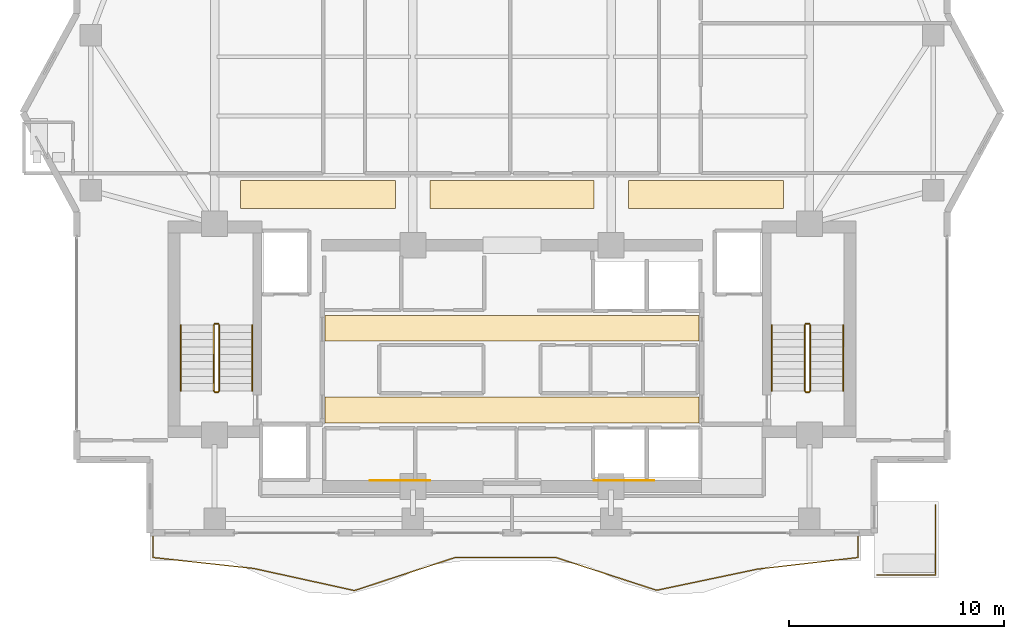
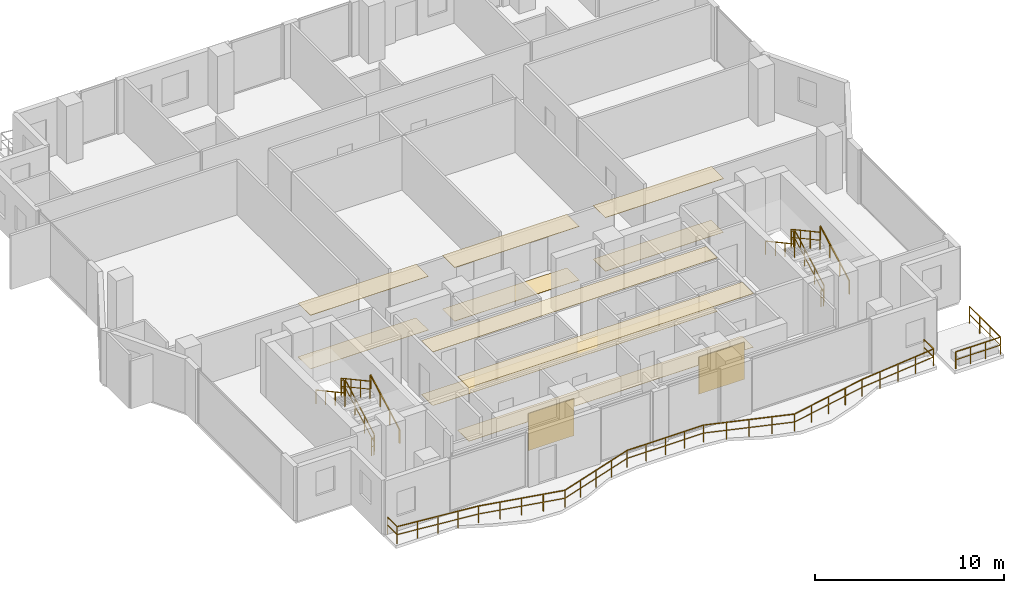
# One storey, part 24 of 26: 14 railings, 12 coverings.
"""IFC4 building model written with IfcOpenShell, lengths in metres."""

from ifc_helpers import new_model, si_unit, direction, frame, origin, origin_2d, place, context, subcontext, project, spatial, polyline, rectangle, outline, extrude, material, layer, layer_set, type_object, element, save


model = new_model("IFC4")

# Units and contexts
model_context = context("Model", 3, precision=1e-05, world=origin(), true_north=direction((0.0, 1.0)))
body_context = subcontext(model_context, "Body", "Model", "MODEL_VIEW")
ifc_project = project(units=[si_unit("LENGTHUNIT", "METRE"), si_unit("AREAUNIT", "SQUARE_METRE"), si_unit("VOLUMEUNIT", "CUBIC_METRE"), si_unit("PLANEANGLEUNIT", "RADIAN"), si_unit("MASSUNIT", "GRAM", prefix="KILO")], contexts=[model_context])

# Site, building, storey
site_placement = place(None, origin())
site = spatial("IfcSite", under=ifc_project, at=site_placement, CompositionType="ELEMENT")
building_placement = place(site_placement, origin())
building = spatial("IfcBuilding", under=site, at=building_placement, Name="Zuhayl Quay Hotel", CompositionType="ELEMENT")
storey_placement = place(building_placement, frame((0.0, 0.0, 254.449951171875)))
storey = spatial("IfcBuildingStorey", under=building, at=storey_placement, Name="L64", CompositionType="ELEMENT", Elevation=254.449951171875)

# Coverings
ifc_material_1 = material(Name="Acoustic Mineral-Fibre Gypsum Board")
ifc_layer_1 = layer(ifc_material_1, 0.02490234375, Name="Acoustic Mineral-Fibre Gypsum Board")
ifc_layer_set_1 = layer_set([ifc_layer_1], Name="Acoustic Mineral-Fibre Gypsum Board")
covering_type_1 = type_object("IfcCoveringType", Name="CV_CEIL_ACOUSTIC", PredefinedType="CEILING", material=ifc_layer_set_1)
covering_1_placement = place(storey_placement, frame((0.0, 0.0, 3.455078125)))
element("IfcCovering", 1, at=covering_1_placement, inside=storey, type_object=covering_type_1, Name="L64 Suspended Acoustic Lobby Ceiling S", PredefinedType="CEILING", context=body_context, shape_type="SweptSolid", body=[
    extrude(outline(polyline([(-8.679931640625, 5.10009765625), (8.679931640625, 5.10009765625), (8.679931640625, 6.300048828125), (-8.679931640625, 6.300048828125), (-8.679931640625, 5.10009765625)])), origin(), (0.0, 0.0, 1.0), 0.02490234375),
])
covering_2_placement = place(storey_placement, frame((0.0, 0.0, 3.455078125)))
element("IfcCovering", 2, at=covering_2_placement, inside=storey, type_object=covering_type_1, Name="L64 Suspended Acoustic Lobby Ceiling N", PredefinedType="CEILING", context=body_context, shape_type="SweptSolid", body=[
    extrude(outline(polyline([(-8.679931640625, 8.89990234375), (8.679931640625, 8.89990234375), (8.679931640625, 10.10009765625), (-8.679931640625, 10.10009765625), (-8.679931640625, 8.89990234375)])), origin(), (0.0, 0.0, 1.0), 0.02490234375),
])
covering_3_placement = place(storey_placement, frame((0.0, 0.0, 3.455078125)))
element("IfcCovering", 3, at=covering_3_placement, inside=storey, type_object=covering_type_1, Name="L64 Guest Corridor Acoustic Ceiling CW", PredefinedType="CEILING", context=body_context, shape_type="SweptSolid", body=[
    extrude(outline(polyline([(-12.60009765625, 15.050048828125), (-5.39990234375, 15.050048828125), (-5.39990234375, 16.35009765625), (-12.60009765625, 16.35009765625), (-12.60009765625, 15.050048828125)])), origin(), (0.0, 0.0, 1.0), 0.02490234375),
])
covering_4_placement = place(storey_placement, frame((0.0, 0.0, 3.455078125)))
element("IfcCovering", 4, at=covering_4_placement, inside=storey, type_object=covering_type_1, Name="L64 Guest Corridor Acoustic Ceiling CC", PredefinedType="CEILING", context=body_context, shape_type="SweptSolid", body=[
    extrude(outline(polyline([(-3.800048828125, 15.050048828125), (3.800048828125, 15.050048828125), (3.800048828125, 16.35009765625), (-3.800048828125, 16.35009765625), (-3.800048828125, 15.050048828125)])), origin(), (0.0, 0.0, 1.0), 0.02490234375),
])
covering_5_placement = place(storey_placement, frame((0.0, 0.0, 3.455078125)))
element("IfcCovering", 5, at=covering_5_placement, inside=storey, type_object=covering_type_1, Name="L64 Guest Corridor Acoustic Ceiling CE", PredefinedType="CEILING", context=body_context, shape_type="SweptSolid", body=[
    extrude(outline(polyline([(5.39990234375, 15.050048828125), (12.60009765625, 15.050048828125), (12.60009765625, 16.35009765625), (5.39990234375, 16.35009765625), (5.39990234375, 15.050048828125)])), origin(), (0.0, 0.0, 1.0), 0.02490234375),
])
ifc_material_2 = material(Name="Polished Limestone Terrazzo", Category="masonry")
ifc_layer_2 = layer(ifc_material_2, 0.02001953125, Name="Polished Limestone Terrazzo", Category="masonry")
ifc_layer_set_2 = layer_set([ifc_layer_2], Name="Polished Limestone Terrazzo")
covering_type_2 = type_object("IfcCoveringType", Name="CV_FLOOR_TERRAZZO", PredefinedType="FLOORING", material=ifc_layer_set_2)
covering_6_placement = place(storey_placement, origin())
element("IfcCovering", 6, at=covering_6_placement, inside=storey, type_object=covering_type_2, Name="L64 Honed Limestone Terrazzo Lobby Flooring S", PredefinedType="FLOORING", context=body_context, shape_type="SweptSolid", body=[
    extrude(outline(polyline([(-8.679931640625, 5.10009765625), (8.679931640625, 5.10009765625), (8.679931640625, 6.300048828125), (-8.679931640625, 6.300048828125), (-8.679931640625, 5.10009765625)])), origin(), (0.0, 0.0, 1.0), 0.02001953125),
])
covering_7_placement = place(storey_placement, origin())
element("IfcCovering", 7, at=covering_7_placement, inside=storey, type_object=covering_type_2, Name="L64 Honed Limestone Terrazzo Lobby Flooring N", PredefinedType="FLOORING", context=body_context, shape_type="SweptSolid", body=[
    extrude(outline(polyline([(-8.679931640625, 8.89990234375), (8.679931640625, 8.89990234375), (8.679931640625, 10.10009765625), (-8.679931640625, 10.10009765625), (-8.679931640625, 8.89990234375)])), origin(), (0.0, 0.0, 1.0), 0.02001953125),
])
covering_8_placement = place(storey_placement, origin())
element("IfcCovering", 8, at=covering_8_placement, inside=storey, type_object=covering_type_2, Name="L64 Guest Corridor Terrazzo Runner CW", PredefinedType="FLOORING", context=body_context, shape_type="SweptSolid", body=[
    extrude(outline(polyline([(-12.60009765625, 15.050048828125), (-5.39990234375, 15.050048828125), (-5.39990234375, 16.35009765625), (-12.60009765625, 16.35009765625), (-12.60009765625, 15.050048828125)])), origin(), (0.0, 0.0, 1.0), 0.02001953125),
])
covering_9_placement = place(storey_placement, origin())
element("IfcCovering", 9, at=covering_9_placement, inside=storey, type_object=covering_type_2, Name="L64 Guest Corridor Terrazzo Runner CC", PredefinedType="FLOORING", context=body_context, shape_type="SweptSolid", body=[
    extrude(outline(polyline([(-3.800048828125, 15.050048828125), (3.800048828125, 15.050048828125), (3.800048828125, 16.35009765625), (-3.800048828125, 16.35009765625), (-3.800048828125, 15.050048828125)])), origin(), (0.0, 0.0, 1.0), 0.02001953125),
])
covering_10_placement = place(storey_placement, origin())
element("IfcCovering", 10, at=covering_10_placement, inside=storey, type_object=covering_type_2, Name="L64 Guest Corridor Terrazzo Runner CE", PredefinedType="FLOORING", context=body_context, shape_type="SweptSolid", body=[
    extrude(outline(polyline([(5.39990234375, 15.050048828125), (12.60009765625, 15.050048828125), (12.60009765625, 16.35009765625), (5.39990234375, 16.35009765625), (5.39990234375, 15.050048828125)])), origin(), (0.0, 0.0, 1.0), 0.02001953125),
])
ifc_material_3 = material(Name="Acoustic Walnut Feature Timber", Category="wood")
ifc_layer_3 = layer(ifc_material_3, 0.02197265625, Name="Acoustic Walnut Feature Timber", Category="wood")
ifc_layer_set_3 = layer_set([ifc_layer_3], Name="Acoustic Walnut Feature Timber")
covering_type_3 = type_object("IfcCoveringType", Name="CV_WALL_CLAD", PredefinedType="CLADDING", material=ifc_layer_set_3)
for number, where, z_axis, x_axis, name in (
    (11, (-5.199951171875, 2.43603515625, 0.300048828125), (0.0, 0.0, 1.0), (1.0, 0.0, 0.0), "L64 Feature Lobby Walnut Wall Cladding W"),
    (12, (5.199951171875, 2.43603515625, 0.300048828125), (0.0, 0.0, 1.0), (1.0, 0.0, 0.0), "L64 Feature Lobby Walnut Wall Cladding E"),
):
    element("IfcCovering", number, at=place(storey_placement, frame(where, z_axis=z_axis, x_axis=x_axis)), inside=storey, type_object=covering_type_3, Name=name, PredefinedType="CLADDING", context=body_context, shape_type="SweptSolid", body=[
        extrude(rectangle(XDim=2.800048828125, YDim=0.02197265625, at=origin_2d()), origin(), (0.0, 0.0, 1.0), 2.39990234375),
    ])

# Railings
ifc_material_4 = material(Name="Anodised Aluminium and Laminated Glass", Category="aluminium")
railing_type_1 = type_object("IfcRailingType", Name="RL_EXT_BAL_1100", PredefinedType="BALUSTRADE", material=ifc_material_4)
railing_1_placement = place(storey_placement, frame((-16.659912109375, -0.1201171875, 0.0)))
element("IfcRailing", 13, at=railing_1_placement, inside=storey, type_object=railing_type_1, Name="L64 Balcony and Terrace Guard GR_L64_BAL_S", PredefinedType="BALUSTRADE", context=body_context, shape_type="SweptSolid", body=[
    extrude(rectangle(XDim=0.048095703125, YDim=0.048095703125, at=origin_2d()), frame((0.0, 0.0, 1.09619140625), z_axis=(0.0, -1.0, 0.0), x_axis=(1.0, 0.0, 0.0)), (0.0, 0.0, 1.0), 1.019775390625),
    extrude(rectangle(XDim=0.0361328125, YDim=0.0361328125, at=origin_2d()), frame((0.0, 0.0, 0.58251953125), z_axis=(0.0, -1.0, 0.0), x_axis=(1.0, 0.0, 0.0)), (0.0, 0.0, 1.0), 1.019775390625),
    extrude(rectangle(XDim=0.048095703125, YDim=0.048095703125, at=origin_2d()), frame((0.0, -1.019775390625, 1.09619140625), z_axis=(0.994150524642, -0.108003399731, 0.0), x_axis=(0.108003399731, 0.994150524642, 0.0)), (0.0, 0.0, 1.0), 4.701904296875),
    extrude(rectangle(XDim=0.0361328125, YDim=0.0361328125, at=origin_2d()), frame((0.0, -1.019775390625, 0.58251953125), z_axis=(0.994150524642, -0.108003399731, 0.0), x_axis=(0.108003399731, 0.994150524642, 0.0)), (0.0, 0.0, 1.0), 4.701904296875),
    extrude(rectangle(XDim=0.048095703125, YDim=0.048095703125, at=origin_2d()), frame((4.67431640625, -1.527587890625, 1.09619140625), z_axis=(0.976774040709, -0.214271961296, 0.0), x_axis=(0.214271961296, 0.976774040709, 0.0)), (0.0, 0.0, 1.0), 4.785400390625),
    extrude(rectangle(XDim=0.0361328125, YDim=0.0361328125, at=origin_2d()), frame((4.67431640625, -1.527587890625, 0.58251953125), z_axis=(0.976774040709, -0.214271961296, 0.0), x_axis=(0.214271961296, 0.976774040709, 0.0)), (0.0, 0.0, 1.0), 4.785400390625),
    extrude(rectangle(XDim=0.048095703125, YDim=0.048095703125, at=origin_2d()), frame((9.3486328125, -2.552978515625, 1.09619140625), z_axis=(0.950186175371, 0.311682903177, 0.0), x_axis=(-0.311682903177, 0.950186175371, 0.0)), (0.0, 0.0, 1.0), 4.919189453125),
    extrude(rectangle(XDim=0.0361328125, YDim=0.0361328125, at=origin_2d()), frame((9.3486328125, -2.552978515625, 0.58251953125), z_axis=(0.950186175371, 0.311682903177, 0.0), x_axis=(-0.311682903177, 0.950186175371, 0.0)), (0.0, 0.0, 1.0), 4.919189453125),
    extrude(rectangle(XDim=0.048095703125, YDim=0.048095703125, at=origin_2d()), frame((14.022705078125, -1.019775390625, 1.09619140625), z_axis=(1.0, 0.0, 0.0), x_axis=(0.0, 1.0, 0.0)), (0.0, 0.0, 1.0), 4.67431640625),
    extrude(rectangle(XDim=0.0361328125, YDim=0.0361328125, at=origin_2d()), frame((14.022705078125, -1.019775390625, 0.58251953125), z_axis=(1.0, 0.0, 0.0), x_axis=(0.0, 1.0, 0.0)), (0.0, 0.0, 1.0), 4.67431640625),
    extrude(rectangle(XDim=0.048095703125, YDim=0.048095703125, at=origin_2d()), frame((18.697021484375, -1.019775390625, 1.09619140625), z_axis=(0.950938393877, -0.309380301654, 0.0), x_axis=(0.309380301654, 0.950938393877, 0.0)), (0.0, 0.0, 1.0), 4.91552734375),
    extrude(rectangle(XDim=0.0361328125, YDim=0.0361328125, at=origin_2d()), frame((18.697021484375, -1.019775390625, 0.58251953125), z_axis=(0.950938393877, -0.309380301654, 0.0), x_axis=(0.309380301654, 0.950938393877, 0.0)), (0.0, 0.0, 1.0), 4.91552734375),
    extrude(rectangle(XDim=0.048095703125, YDim=0.048095703125, at=origin_2d()), frame((23.371337890625, -2.54052734375, 1.09619140625), z_axis=(0.978701381012, 0.205289081069, 0.0), x_axis=(-0.205289081069, 0.978701381012, 0.0)), (0.0, 0.0, 1.0), 4.776123046875),
    extrude(rectangle(XDim=0.0361328125, YDim=0.0361328125, at=origin_2d()), frame((23.371337890625, -2.54052734375, 0.58251953125), z_axis=(0.978701381012, 0.205289081069, 0.0), x_axis=(-0.205289081069, 0.978701381012, 0.0)), (0.0, 0.0, 1.0), 4.776123046875),
    extrude(rectangle(XDim=0.048095703125, YDim=0.048095703125, at=origin_2d()), frame((28.045654296875, -1.56005859375, 1.09619140625), z_axis=(0.993386193085, 0.114821040703, 0.0), x_axis=(-0.114821040703, 0.993386193085, 0.0)), (0.0, 0.0, 1.0), 4.705322265625),
    extrude(rectangle(XDim=0.0361328125, YDim=0.0361328125, at=origin_2d()), frame((28.045654296875, -1.56005859375, 0.58251953125), z_axis=(0.993386193085, 0.114821040703, 0.0), x_axis=(-0.114821040703, 0.993386193085, 0.0)), (0.0, 0.0, 1.0), 4.705322265625),
    extrude(rectangle(XDim=0.048095703125, YDim=0.048095703125, at=origin_2d()), frame((32.719970703125, -1.019775390625, 1.09619140625), z_axis=(0.0, 1.0, 0.0), x_axis=(-1.0, 0.0, 0.0)), (0.0, 0.0, 1.0), 1.019775390625),
    extrude(rectangle(XDim=0.0361328125, YDim=0.0361328125, at=origin_2d()), frame((32.719970703125, -1.019775390625, 0.58251953125), z_axis=(0.0, 1.0, 0.0), x_axis=(-1.0, 0.0, 0.0)), (0.0, 0.0, 1.0), 1.019775390625),
    extrude(rectangle(XDim=0.0419921875, YDim=0.0419921875, at=origin_2d()), origin(), (0.0, 0.0, 1.0), 1.072021484375),
    extrude(rectangle(XDim=0.0419921875, YDim=0.0419921875, at=origin_2d()), frame((0.0, -1.019775390625, 0.0)), (0.0, 0.0, 1.0), 1.072021484375),
    extrude(rectangle(XDim=0.0419921875, YDim=0.0419921875, at=origin_2d()), frame((1.16845703125, -1.146728515625, 0.0)), (0.0, 0.0, 1.0), 1.072021484375),
    extrude(rectangle(XDim=0.0419921875, YDim=0.0419921875, at=origin_2d()), frame((2.337158203125, -1.273681640625, 0.0)), (0.0, 0.0, 1.0), 1.072021484375),
    extrude(rectangle(XDim=0.0419921875, YDim=0.0419921875, at=origin_2d()), frame((3.505859375, -1.400634765625, 0.0)), (0.0, 0.0, 1.0), 1.072021484375),
    extrude(rectangle(XDim=0.0419921875, YDim=0.0419921875, at=origin_2d()), frame((4.67431640625, -1.527587890625, 0.0)), (0.0, 0.0, 1.0), 1.072021484375),
    extrude(rectangle(XDim=0.0419921875, YDim=0.0419921875, at=origin_2d()), frame((5.8427734375, -1.783935546875, 0.0)), (0.0, 0.0, 1.0), 1.072021484375),
    extrude(rectangle(XDim=0.0419921875, YDim=0.0419921875, at=origin_2d()), frame((7.011474609375, -2.040283203125, 0.0)), (0.0, 0.0, 1.0), 1.072021484375),
    extrude(rectangle(XDim=0.0419921875, YDim=0.0419921875, at=origin_2d()), frame((8.18017578125, -2.296630859375, 0.0)), (0.0, 0.0, 1.0), 1.072021484375),
    extrude(rectangle(XDim=0.0419921875, YDim=0.0419921875, at=origin_2d()), frame((9.3486328125, -2.552978515625, 0.0)), (0.0, 0.0, 1.0), 1.072021484375),
    extrude(rectangle(XDim=0.0419921875, YDim=0.0419921875, at=origin_2d()), frame((10.51708984375, -2.169677734375, 0.0)), (0.0, 0.0, 1.0), 1.072021484375),
    extrude(rectangle(XDim=0.0419921875, YDim=0.0419921875, at=origin_2d()), frame((11.685546875, -1.786376953125, 0.0)), (0.0, 0.0, 1.0), 1.072021484375),
    extrude(rectangle(XDim=0.0419921875, YDim=0.0419921875, at=origin_2d()), frame((12.854248046875, -1.403076171875, 0.0)), (0.0, 0.0, 1.0), 1.072021484375),
    extrude(rectangle(XDim=0.0419921875, YDim=0.0419921875, at=origin_2d()), frame((14.022705078125, -1.019775390625, 0.0)), (0.0, 0.0, 1.0), 1.072021484375),
    extrude(rectangle(XDim=0.0419921875, YDim=0.0419921875, at=origin_2d()), frame((15.19140625, -1.019775390625, 0.0)), (0.0, 0.0, 1.0), 1.072021484375),
    extrude(rectangle(XDim=0.0419921875, YDim=0.0419921875, at=origin_2d()), frame((16.35986328125, -1.019775390625, 0.0)), (0.0, 0.0, 1.0), 1.072021484375),
    extrude(rectangle(XDim=0.0419921875, YDim=0.0419921875, at=origin_2d()), frame((17.5283203125, -1.019775390625, 0.0)), (0.0, 0.0, 1.0), 1.072021484375),
    extrude(rectangle(XDim=0.0419921875, YDim=0.0419921875, at=origin_2d()), frame((18.697021484375, -1.019775390625, 0.0)), (0.0, 0.0, 1.0), 1.072021484375),
    extrude(rectangle(XDim=0.0419921875, YDim=0.0419921875, at=origin_2d()), frame((19.86572265625, -1.39990234375, 0.0)), (0.0, 0.0, 1.0), 1.072021484375),
    extrude(rectangle(XDim=0.0419921875, YDim=0.0419921875, at=origin_2d()), frame((21.0341796875, -1.7802734375, 0.0)), (0.0, 0.0, 1.0), 1.072021484375),
    extrude(rectangle(XDim=0.0419921875, YDim=0.0419921875, at=origin_2d()), frame((22.20263671875, -2.160400390625, 0.0)), (0.0, 0.0, 1.0), 1.072021484375),
    extrude(rectangle(XDim=0.0419921875, YDim=0.0419921875, at=origin_2d()), frame((23.371337890625, -2.54052734375, 0.0)), (0.0, 0.0, 1.0), 1.072021484375),
    extrude(rectangle(XDim=0.0419921875, YDim=0.0419921875, at=origin_2d()), frame((24.5400390625, -2.29541015625, 0.0)), (0.0, 0.0, 1.0), 1.072021484375),
    extrude(rectangle(XDim=0.0419921875, YDim=0.0419921875, at=origin_2d()), frame((25.70849609375, -2.05029296875, 0.0)), (0.0, 0.0, 1.0), 1.072021484375),
    extrude(rectangle(XDim=0.0419921875, YDim=0.0419921875, at=origin_2d()), frame((26.876953125, -1.80517578125, 0.0)), (0.0, 0.0, 1.0), 1.072021484375),
    extrude(rectangle(XDim=0.0419921875, YDim=0.0419921875, at=origin_2d()), frame((28.045654296875, -1.56005859375, 0.0)), (0.0, 0.0, 1.0), 1.072021484375),
    extrude(rectangle(XDim=0.0419921875, YDim=0.0419921875, at=origin_2d()), frame((29.21435546875, -1.425048828125, 0.0)), (0.0, 0.0, 1.0), 1.072021484375),
    extrude(rectangle(XDim=0.0419921875, YDim=0.0419921875, at=origin_2d()), frame((30.3828125, -1.2900390625, 0.0)), (0.0, 0.0, 1.0), 1.072021484375),
    extrude(rectangle(XDim=0.0419921875, YDim=0.0419921875, at=origin_2d()), frame((31.55126953125, -1.15478515625, 0.0)), (0.0, 0.0, 1.0), 1.072021484375),
    extrude(rectangle(XDim=0.0419921875, YDim=0.0419921875, at=origin_2d()), frame((32.719970703125, -1.019775390625, 0.0)), (0.0, 0.0, 1.0), 1.072021484375),
    extrude(rectangle(XDim=0.0419921875, YDim=0.0419921875, at=origin_2d()), frame((32.719970703125, 0.0, 0.0)), (0.0, 0.0, 1.0), 1.072021484375),
])
railing_2_placement = place(storey_placement, frame((16.93994140625, -1.9599609375, 0.0)))
element("IfcRailing", 14, at=railing_2_placement, inside=storey, type_object=railing_type_1, Name="L64 Balcony and Terrace Guard GR_L64_SPIRAL_SE", PredefinedType="BALUSTRADE", context=body_context, shape_type="SweptSolid", body=[
    extrude(rectangle(XDim=0.048095703125, YDim=0.048095703125, at=origin_2d()), frame((0.0, 0.0, 1.09619140625), z_axis=(1.0, 0.0, 0.0), x_axis=(0.0, 1.0, 0.0)), (0.0, 0.0, 1.0), 2.719970703125),
    extrude(rectangle(XDim=0.0361328125, YDim=0.0361328125, at=origin_2d()), frame((0.0, 0.0, 0.58251953125), z_axis=(1.0, 0.0, 0.0), x_axis=(0.0, 1.0, 0.0)), (0.0, 0.0, 1.0), 2.719970703125),
    extrude(rectangle(XDim=0.048095703125, YDim=0.048095703125, at=origin_2d()), frame((2.719970703125, 0.0, 1.09619140625), z_axis=(0.0, 1.0, 0.0), x_axis=(-1.0, 0.0, 0.0)), (0.0, 0.0, 1.0), 3.27001953125),
    extrude(rectangle(XDim=0.0361328125, YDim=0.0361328125, at=origin_2d()), frame((2.719970703125, 0.0, 0.58251953125), z_axis=(0.0, 1.0, 0.0), x_axis=(-1.0, 0.0, 0.0)), (0.0, 0.0, 1.0), 3.27001953125),
    extrude(rectangle(XDim=0.0419921875, YDim=0.0419921875, at=origin_2d()), origin(), (0.0, 0.0, 1.0), 1.072021484375),
    extrude(rectangle(XDim=0.0419921875, YDim=0.0419921875, at=origin_2d()), frame((0.90673828125, 0.0, 0.0)), (0.0, 0.0, 1.0), 1.072021484375),
    extrude(rectangle(XDim=0.0419921875, YDim=0.0419921875, at=origin_2d()), frame((1.813232421875, 0.0, 0.0)), (0.0, 0.0, 1.0), 1.072021484375),
    extrude(rectangle(XDim=0.0419921875, YDim=0.0419921875, at=origin_2d()), frame((2.719970703125, 0.0, 0.0)), (0.0, 0.0, 1.0), 1.072021484375),
    extrude(rectangle(XDim=0.0419921875, YDim=0.0419921875, at=origin_2d()), frame((2.719970703125, 1.090087890625, 0.0)), (0.0, 0.0, 1.0), 1.072021484375),
    extrude(rectangle(XDim=0.0419921875, YDim=0.0419921875, at=origin_2d()), frame((2.719970703125, 2.179931640625, 0.0)), (0.0, 0.0, 1.0), 1.072021484375),
    extrude(rectangle(XDim=0.0419921875, YDim=0.0419921875, at=origin_2d()), frame((2.719970703125, 3.27001953125, 0.0)), (0.0, 0.0, 1.0), 1.072021484375),
])
ifc_material_5 = material(Name="Steel ASTM A992 Grade 50", Category="steel")
railing_type_2 = type_object("IfcRailingType", Name="RL_GUARD_1100", PredefinedType="GUARDRAIL", material=ifc_material_5)
railing_3_placement = place(storey_placement, frame((-13.590087890625, 6.590087890625, 0.18505859375)))
element("IfcRailing", 15, at=railing_3_placement, inside=storey, type_object=railing_type_2, Name="L64 ST1 stair guard 1", PredefinedType="GUARDRAIL", context=body_context, shape_type="SweptSolid", body=[
    extrude(rectangle(XDim=0.048095703125, YDim=0.048095703125, at=origin_2d()), frame((0.0, 0.0, 1.09619140625), z_axis=(0.0, 0.878371892512, 0.477977843049), x_axis=(-1.0, 0.0, 0.0)), (0.0, 0.0, 1.0), 3.4833984375),
    extrude(rectangle(XDim=0.0361328125, YDim=0.0361328125, at=origin_2d()), frame((0.0, 0.0, 0.58251953125), z_axis=(0.0, 0.878371892512, 0.477977843049), x_axis=(-1.0, 0.0, 0.0)), (0.0, 0.0, 1.0), 3.4833984375),
    extrude(rectangle(XDim=0.0419921875, YDim=0.0419921875, at=origin_2d()), origin(), (0.0, 0.0, 1.0), 1.072021484375),
    extrude(rectangle(XDim=0.0419921875, YDim=0.0419921875, at=origin_2d()), frame((0.0, 1.02001953125, 0.554931640625)), (0.0, 0.0, 1.0), 1.072021484375),
    extrude(rectangle(XDim=0.0419921875, YDim=0.0419921875, at=origin_2d()), frame((0.0, 2.039794921875, 1.110107421875)), (0.0, 0.0, 1.0), 1.072021484375),
    extrude(rectangle(XDim=0.0419921875, YDim=0.0419921875, at=origin_2d()), frame((0.0, 3.059814453125, 1.6650390625)), (0.0, 0.0, 1.0), 1.072021484375),
])
railing_4_placement = place(storey_placement, frame((-13.639892578125, 9.699951171875, 1.85009765625)))
element("IfcRailing", 16, at=railing_4_placement, inside=storey, type_object=railing_type_2, Name="L64 ST1 stair guard 2", PredefinedType="GUARDRAIL", context=body_context, shape_type="SweptSolid", body=[
    extrude(rectangle(XDim=0.048095703125, YDim=0.048095703125, at=origin_2d()), frame((0.0, 0.0, 1.09619140625), z_axis=(-1.0, 0.0, 0.0), x_axis=(0.0, -1.0, 0.0)), (0.0, 0.0, 1.0), 0.150146484375),
    extrude(rectangle(XDim=0.0361328125, YDim=0.0361328125, at=origin_2d()), frame((0.0, 0.0, 0.58251953125), z_axis=(-1.0, 0.0, 0.0), x_axis=(0.0, -1.0, 0.0)), (0.0, 0.0, 1.0), 0.150146484375),
    extrude(rectangle(XDim=0.0419921875, YDim=0.0419921875, at=origin_2d()), origin(), (0.0, 0.0, 1.0), 1.072021484375),
    extrude(rectangle(XDim=0.0419921875, YDim=0.0419921875, at=origin_2d()), frame((-0.150146484375, 0.0, 0.0)), (0.0, 0.0, 1.0), 1.072021484375),
])
railing_5_placement = place(storey_placement, frame((-13.840087890625, 9.64990234375, 2.03515625)))
element("IfcRailing", 17, at=railing_5_placement, inside=storey, type_object=railing_type_2, Name="L64 ST1 stair guard 3", PredefinedType="GUARDRAIL", context=body_context, shape_type="SweptSolid", body=[
    extrude(rectangle(XDim=0.048095703125, YDim=0.048095703125, at=origin_2d()), frame((0.0, 0.0, 1.09619140625), z_axis=(0.0, -0.878401316366, 0.477923767358), x_axis=(1.0, 0.0, 0.0)), (0.0, 0.0, 1.0), 3.4833984375),
    extrude(rectangle(XDim=0.0361328125, YDim=0.0361328125, at=origin_2d()), frame((0.0, 0.0, 0.58251953125), z_axis=(0.0, -0.878401316366, 0.477923767358), x_axis=(1.0, 0.0, 0.0)), (0.0, 0.0, 1.0), 3.4833984375),
    extrude(rectangle(XDim=0.0419921875, YDim=0.0419921875, at=origin_2d()), origin(), (0.0, 0.0, 1.0), 1.072021484375),
    extrude(rectangle(XDim=0.0419921875, YDim=0.0419921875, at=origin_2d()), frame((0.0, -1.02001953125, 0.554931640625)), (0.0, 0.0, 1.0), 1.072021484375),
    extrude(rectangle(XDim=0.0419921875, YDim=0.0419921875, at=origin_2d()), frame((0.0, -2.039794921875, 1.10986328125)), (0.0, 0.0, 1.0), 1.072021484375),
    extrude(rectangle(XDim=0.0419921875, YDim=0.0419921875, at=origin_2d()), frame((0.0, -3.059814453125, 1.664794921875)), (0.0, 0.0, 1.0), 1.072021484375),
])
railing_6_placement = place(storey_placement, frame((-13.639892578125, 6.5400390625, 0.0)))
element("IfcRailing", 18, at=railing_6_placement, inside=storey, type_object=railing_type_2, Name="L64 ST1 stair guard 4", PredefinedType="GUARDRAIL", context=body_context, shape_type="SweptSolid", body=[
    extrude(rectangle(XDim=0.048095703125, YDim=0.048095703125, at=origin_2d()), frame((0.0, 0.0, 1.09619140625), z_axis=(-1.0, 0.0, 0.0), x_axis=(0.0, -1.0, 0.0)), (0.0, 0.0, 1.0), 0.150146484375),
    extrude(rectangle(XDim=0.0361328125, YDim=0.0361328125, at=origin_2d()), frame((0.0, 0.0, 0.58251953125), z_axis=(-1.0, 0.0, 0.0), x_axis=(0.0, -1.0, 0.0)), (0.0, 0.0, 1.0), 0.150146484375),
    extrude(rectangle(XDim=0.0419921875, YDim=0.0419921875, at=origin_2d()), origin(), (0.0, 0.0, 1.0), 1.072021484375),
    extrude(rectangle(XDim=0.0419921875, YDim=0.0419921875, at=origin_2d()), frame((-0.150146484375, 0.0, 0.0)), (0.0, 0.0, 1.0), 1.072021484375),
])
railing_7_placement = place(storey_placement, frame((13.840087890625, 6.590087890625, 0.18505859375)))
element("IfcRailing", 19, at=railing_7_placement, inside=storey, type_object=railing_type_2, Name="L64 ST2 stair guard 1", PredefinedType="GUARDRAIL", context=body_context, shape_type="SweptSolid", body=[
    extrude(rectangle(XDim=0.048095703125, YDim=0.048095703125, at=origin_2d()), frame((0.0, 0.0, 1.09619140625), z_axis=(0.0, 0.878371892512, 0.477977843049), x_axis=(-1.0, 0.0, 0.0)), (0.0, 0.0, 1.0), 3.4833984375),
    extrude(rectangle(XDim=0.0361328125, YDim=0.0361328125, at=origin_2d()), frame((0.0, 0.0, 0.58251953125), z_axis=(0.0, 0.878371892512, 0.477977843049), x_axis=(-1.0, 0.0, 0.0)), (0.0, 0.0, 1.0), 3.4833984375),
    extrude(rectangle(XDim=0.0419921875, YDim=0.0419921875, at=origin_2d()), origin(), (0.0, 0.0, 1.0), 1.072021484375),
    extrude(rectangle(XDim=0.0419921875, YDim=0.0419921875, at=origin_2d()), frame((0.0, 1.02001953125, 0.554931640625)), (0.0, 0.0, 1.0), 1.072021484375),
    extrude(rectangle(XDim=0.0419921875, YDim=0.0419921875, at=origin_2d()), frame((0.0, 2.039794921875, 1.110107421875)), (0.0, 0.0, 1.0), 1.072021484375),
    extrude(rectangle(XDim=0.0419921875, YDim=0.0419921875, at=origin_2d()), frame((0.0, 3.059814453125, 1.6650390625)), (0.0, 0.0, 1.0), 1.072021484375),
])
railing_8_placement = place(storey_placement, frame((13.7900390625, 9.699951171875, 1.85009765625)))
element("IfcRailing", 20, at=railing_8_placement, inside=storey, type_object=railing_type_2, Name="L64 ST2 stair guard 2", PredefinedType="GUARDRAIL", context=body_context, shape_type="SweptSolid", body=[
    extrude(rectangle(XDim=0.048095703125, YDim=0.048095703125, at=origin_2d()), frame((0.0, 0.0, 1.09619140625), z_axis=(-1.0, 0.0, 0.0), x_axis=(0.0, -1.0, 0.0)), (0.0, 0.0, 1.0), 0.150146484375),
    extrude(rectangle(XDim=0.0361328125, YDim=0.0361328125, at=origin_2d()), frame((0.0, 0.0, 0.58251953125), z_axis=(-1.0, 0.0, 0.0), x_axis=(0.0, -1.0, 0.0)), (0.0, 0.0, 1.0), 0.150146484375),
    extrude(rectangle(XDim=0.0419921875, YDim=0.0419921875, at=origin_2d()), origin(), (0.0, 0.0, 1.0), 1.072021484375),
    extrude(rectangle(XDim=0.0419921875, YDim=0.0419921875, at=origin_2d()), frame((-0.150146484375, 0.0, 0.0)), (0.0, 0.0, 1.0), 1.072021484375),
])
railing_9_placement = place(storey_placement, frame((13.590087890625, 9.64990234375, 2.03515625)))
element("IfcRailing", 21, at=railing_9_placement, inside=storey, type_object=railing_type_2, Name="L64 ST2 stair guard 3", PredefinedType="GUARDRAIL", context=body_context, shape_type="SweptSolid", body=[
    extrude(rectangle(XDim=0.048095703125, YDim=0.048095703125, at=origin_2d()), frame((0.0, 0.0, 1.09619140625), z_axis=(0.0, -0.878401316366, 0.477923767358), x_axis=(1.0, 0.0, 0.0)), (0.0, 0.0, 1.0), 3.4833984375),
    extrude(rectangle(XDim=0.0361328125, YDim=0.0361328125, at=origin_2d()), frame((0.0, 0.0, 0.58251953125), z_axis=(0.0, -0.878401316366, 0.477923767358), x_axis=(1.0, 0.0, 0.0)), (0.0, 0.0, 1.0), 3.4833984375),
    extrude(rectangle(XDim=0.0419921875, YDim=0.0419921875, at=origin_2d()), origin(), (0.0, 0.0, 1.0), 1.072021484375),
    extrude(rectangle(XDim=0.0419921875, YDim=0.0419921875, at=origin_2d()), frame((0.0, -1.02001953125, 0.554931640625)), (0.0, 0.0, 1.0), 1.072021484375),
    extrude(rectangle(XDim=0.0419921875, YDim=0.0419921875, at=origin_2d()), frame((0.0, -2.039794921875, 1.10986328125)), (0.0, 0.0, 1.0), 1.072021484375),
    extrude(rectangle(XDim=0.0419921875, YDim=0.0419921875, at=origin_2d()), frame((0.0, -3.059814453125, 1.664794921875)), (0.0, 0.0, 1.0), 1.072021484375),
])
railing_10_placement = place(storey_placement, frame((13.7900390625, 6.5400390625, 0.0)))
element("IfcRailing", 22, at=railing_10_placement, inside=storey, type_object=railing_type_2, Name="L64 ST2 stair guard 4", PredefinedType="GUARDRAIL", context=body_context, shape_type="SweptSolid", body=[
    extrude(rectangle(XDim=0.048095703125, YDim=0.048095703125, at=origin_2d()), frame((0.0, 0.0, 1.09619140625), z_axis=(-1.0, 0.0, 0.0), x_axis=(0.0, -1.0, 0.0)), (0.0, 0.0, 1.0), 0.150146484375),
    extrude(rectangle(XDim=0.0361328125, YDim=0.0361328125, at=origin_2d()), frame((0.0, 0.0, 0.58251953125), z_axis=(-1.0, 0.0, 0.0), x_axis=(0.0, -1.0, 0.0)), (0.0, 0.0, 1.0), 0.150146484375),
    extrude(rectangle(XDim=0.0419921875, YDim=0.0419921875, at=origin_2d()), origin(), (0.0, 0.0, 1.0), 1.072021484375),
    extrude(rectangle(XDim=0.0419921875, YDim=0.0419921875, at=origin_2d()), frame((-0.150146484375, 0.0, 0.0)), (0.0, 0.0, 1.0), 1.072021484375),
])
railing_type_3 = type_object("IfcRailingType", Name="RL_HANDRAIL_920", PredefinedType="HANDRAIL", material=ifc_material_5)
railing_11_placement = place(storey_placement, frame((-12.050048828125, 6.590087890625, 0.18505859375)))
element("IfcRailing", 23, at=railing_11_placement, inside=storey, type_object=railing_type_3, Name="L64 ST1 stair handrail 1", PredefinedType="HANDRAIL", context=body_context, shape_type="SweptSolid", body=[
    extrude(rectangle(XDim=0.048095703125, YDim=0.048095703125, at=origin_2d()), frame((0.0, 0.0, 0.8759765625), z_axis=(0.0, 0.878371892512, 0.477977843049), x_axis=(-1.0, 0.0, 0.0)), (0.0, 0.0, 1.0), 3.4833984375),
    extrude(rectangle(XDim=0.0419921875, YDim=0.0419921875, at=origin_2d()), origin(), (0.0, 0.0, 1.0), 0.851806640625),
    extrude(rectangle(XDim=0.0419921875, YDim=0.0419921875, at=origin_2d()), frame((0.0, 1.02001953125, 0.554931640625)), (0.0, 0.0, 1.0), 0.851806640625),
    extrude(rectangle(XDim=0.0419921875, YDim=0.0419921875, at=origin_2d()), frame((0.0, 2.039794921875, 1.110107421875)), (0.0, 0.0, 1.0), 0.851806640625),
    extrude(rectangle(XDim=0.0419921875, YDim=0.0419921875, at=origin_2d()), frame((0.0, 3.059814453125, 1.6650390625)), (0.0, 0.0, 1.0), 0.851806640625),
])
railing_12_placement = place(storey_placement, frame((-15.3798828125, 9.64990234375, 2.03515625)))
element("IfcRailing", 24, at=railing_12_placement, inside=storey, type_object=railing_type_3, Name="L64 ST1 stair handrail 2", PredefinedType="HANDRAIL", context=body_context, shape_type="SweptSolid", body=[
    extrude(rectangle(XDim=0.048095703125, YDim=0.048095703125, at=origin_2d()), frame((0.0, 0.0, 0.8759765625), z_axis=(0.0, -0.878401316366, 0.477923767358), x_axis=(1.0, 0.0, 0.0)), (0.0, 0.0, 1.0), 3.4833984375),
    extrude(rectangle(XDim=0.0419921875, YDim=0.0419921875, at=origin_2d()), origin(), (0.0, 0.0, 1.0), 0.851806640625),
    extrude(rectangle(XDim=0.0419921875, YDim=0.0419921875, at=origin_2d()), frame((0.0, -1.02001953125, 0.554931640625)), (0.0, 0.0, 1.0), 0.851806640625),
    extrude(rectangle(XDim=0.0419921875, YDim=0.0419921875, at=origin_2d()), frame((0.0, -2.039794921875, 1.10986328125)), (0.0, 0.0, 1.0), 0.851806640625),
    extrude(rectangle(XDim=0.0419921875, YDim=0.0419921875, at=origin_2d()), frame((0.0, -3.059814453125, 1.664794921875)), (0.0, 0.0, 1.0), 0.851806640625),
])
railing_13_placement = place(storey_placement, frame((15.3798828125, 6.590087890625, 0.18505859375)))
element("IfcRailing", 25, at=railing_13_placement, inside=storey, type_object=railing_type_3, Name="L64 ST2 stair handrail 1", PredefinedType="HANDRAIL", context=body_context, shape_type="SweptSolid", body=[
    extrude(rectangle(XDim=0.048095703125, YDim=0.048095703125, at=origin_2d()), frame((0.0, 0.0, 0.8759765625), z_axis=(0.0, 0.878371892512, 0.477977843049), x_axis=(-1.0, 0.0, 0.0)), (0.0, 0.0, 1.0), 3.4833984375),
    extrude(rectangle(XDim=0.0419921875, YDim=0.0419921875, at=origin_2d()), origin(), (0.0, 0.0, 1.0), 0.851806640625),
    extrude(rectangle(XDim=0.0419921875, YDim=0.0419921875, at=origin_2d()), frame((0.0, 1.02001953125, 0.554931640625)), (0.0, 0.0, 1.0), 0.851806640625),
    extrude(rectangle(XDim=0.0419921875, YDim=0.0419921875, at=origin_2d()), frame((0.0, 2.039794921875, 1.110107421875)), (0.0, 0.0, 1.0), 0.851806640625),
    extrude(rectangle(XDim=0.0419921875, YDim=0.0419921875, at=origin_2d()), frame((0.0, 3.059814453125, 1.6650390625)), (0.0, 0.0, 1.0), 0.851806640625),
])
railing_14_placement = place(storey_placement, frame((12.050048828125, 9.64990234375, 2.03515625)))
element("IfcRailing", 26, at=railing_14_placement, inside=storey, type_object=railing_type_3, Name="L64 ST2 stair handrail 2", PredefinedType="HANDRAIL", context=body_context, shape_type="SweptSolid", body=[
    extrude(rectangle(XDim=0.048095703125, YDim=0.048095703125, at=origin_2d()), frame((0.0, 0.0, 0.8759765625), z_axis=(0.0, -0.878401316366, 0.477923767358), x_axis=(1.0, 0.0, 0.0)), (0.0, 0.0, 1.0), 3.4833984375),
    extrude(rectangle(XDim=0.0419921875, YDim=0.0419921875, at=origin_2d()), origin(), (0.0, 0.0, 1.0), 0.851806640625),
    extrude(rectangle(XDim=0.0419921875, YDim=0.0419921875, at=origin_2d()), frame((0.0, -1.02001953125, 0.554931640625)), (0.0, 0.0, 1.0), 0.851806640625),
    extrude(rectangle(XDim=0.0419921875, YDim=0.0419921875, at=origin_2d()), frame((0.0, -2.039794921875, 1.10986328125)), (0.0, 0.0, 1.0), 0.851806640625),
    extrude(rectangle(XDim=0.0419921875, YDim=0.0419921875, at=origin_2d()), frame((0.0, -3.059814453125, 1.664794921875)), (0.0, 0.0, 1.0), 0.851806640625),
])

save(model, "model.ifc")
